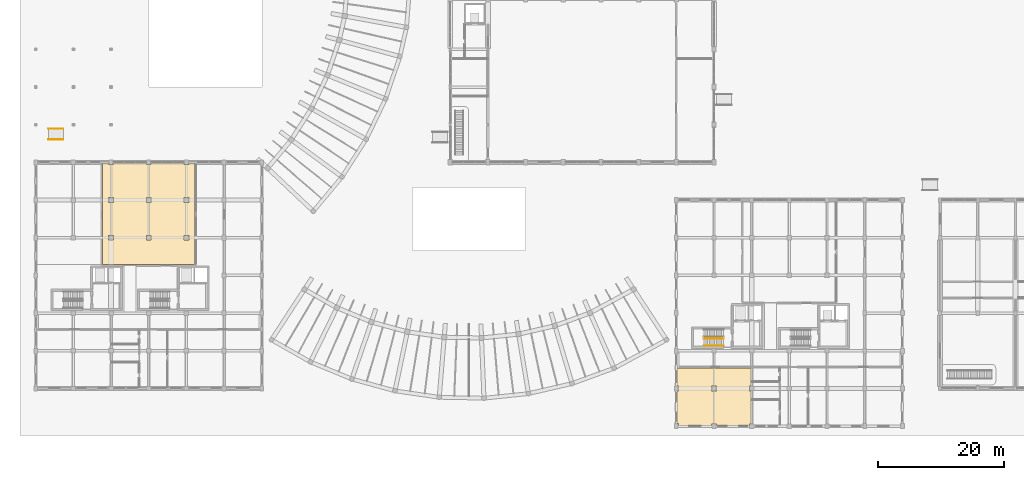
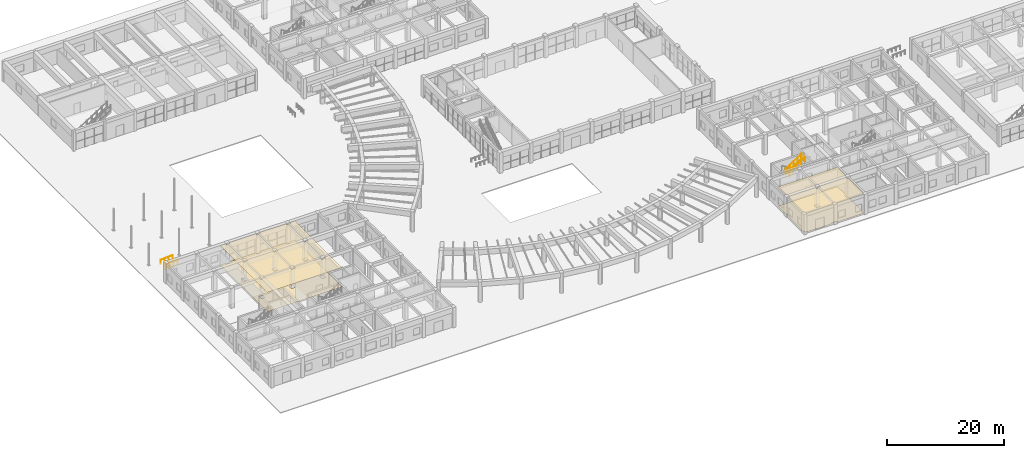
# One storey, part 68 of 76: 4 coverings, 4 railings.
"""IFC4 building model written with IfcOpenShell, lengths in metres."""

from ifc_helpers import new_model, si_unit, direction, frame, origin, origin_2d, place, context, subcontext, project, spatial, polyline, circle, outline, extrude, material, layer, layer_set, type_object, element, save


model = new_model("IFC4")

# Units and contexts
model_context = context("Model", 3, precision=1e-05, world=origin(), true_north=direction((0.0, 1.0)))
body_context = subcontext(model_context, "Body", "Model", "MODEL_VIEW")
ifc_project = project(units=[si_unit("LENGTHUNIT", "METRE"), si_unit("AREAUNIT", "SQUARE_METRE"), si_unit("VOLUMEUNIT", "CUBIC_METRE"), si_unit("PLANEANGLEUNIT", "RADIAN"), si_unit("MASSUNIT", "GRAM", prefix="KILO"), si_unit("POWERUNIT", "WATT"), si_unit("THERMODYNAMICTEMPERATUREUNIT", "KELVIN")], contexts=[model_context])

# Site, building, storey
site_placement = place(None, origin())
site = spatial("IfcSite", under=ifc_project, at=site_placement, CompositionType="ELEMENT")
building_placement = place(site_placement, origin())
building = spatial("IfcBuilding", under=site, at=building_placement, Name="Ruvembo Vaulted Housing Court", CompositionType="ELEMENT")
storey_placement = place(building_placement, origin())
storey = spatial("IfcBuildingStorey", under=building, at=storey_placement, Name="L00", CompositionType="ELEMENT", Elevation=0.0)

# Coverings
ifc_material_1 = material(Name="Perforated Mineral-Fibre Acoustic Tile", Category="gypsum")
ifc_layer_1 = layer(ifc_material_1, 0.02001953125, Name="Perforated Mineral-Fibre Acoustic Tile")
ifc_layer_set_1 = layer_set([ifc_layer_1], Name="Perforated Mineral-Fibre Acoustic Tile")
covering_type_1 = type_object("IfcCoveringType", Name="COV-CEIL-ACOUST", PredefinedType="CEILING", material=ifc_layer_set_1)
covering_1_placement = place(storey_placement, frame((0.0, 0.0, 4.034912109375)))
element("IfcCovering", 1, at=covering_1_placement, inside=storey, type_object=covering_type_1, Name="Block A Courtyard Entrance Lobby Ceiling", PredefinedType="CEILING", context=body_context, shape_type="SweptSolid", body=[
    extrude(outline(polyline([(11.6298828125, 41.6298828125), (11.6298828125, 41.889892578125), (10.610107421875, 41.889892578125), (10.610107421875, 25.7099609375), (25.389892578125, 25.7099609375), (25.389892578125, 41.889892578125), (24.3701171875, 41.889892578125), (24.3701171875, 41.6298828125), (23.6298828125, 41.6298828125), (23.6298828125, 41.889892578125), (18.3701171875, 41.889892578125), (18.3701171875, 41.6298828125), (17.6298828125, 41.6298828125), (17.6298828125, 41.889892578125), (12.3701171875, 41.889892578125), (12.3701171875, 41.6298828125), (11.6298828125, 41.6298828125)]), holes=[polyline([(24.3701171875, 29.6298828125), (24.3701171875, 30.3701171875), (23.6298828125, 30.3701171875), (23.6298828125, 29.6298828125), (24.3701171875, 29.6298828125)]), polyline([(17.6298828125, 29.6298828125), (18.3701171875, 29.6298828125), (18.3701171875, 30.3701171875), (17.6298828125, 30.3701171875), (17.6298828125, 29.6298828125)]), polyline([(12.3701171875, 29.6298828125), (12.3701171875, 30.3701171875), (11.6298828125, 30.3701171875), (11.6298828125, 29.6298828125), (12.3701171875, 29.6298828125)]), polyline([(12.3701171875, 35.6298828125), (12.3701171875, 36.3701171875), (11.6298828125, 36.3701171875), (11.6298828125, 35.6298828125), (12.3701171875, 35.6298828125)]), polyline([(17.6298828125, 35.6298828125), (18.3701171875, 35.6298828125), (18.3701171875, 36.3701171875), (17.6298828125, 36.3701171875), (17.6298828125, 35.6298828125)]), polyline([(24.3701171875, 35.6298828125), (24.3701171875, 36.3701171875), (23.6298828125, 36.3701171875), (23.6298828125, 35.6298828125), (24.3701171875, 35.6298828125)])]), origin(), (0.0, 0.0, 1.0), 0.02001953125),
])
covering_2_placement = place(storey_placement, frame((0.0, 0.0, 4.034912109375)))
element("IfcCovering", 2, at=covering_2_placement, inside=storey, type_object=covering_type_1, Name="Block C West Exit Vestibule Ceiling", PredefinedType="CEILING", context=body_context, shape_type="SweptSolid", body=[
    extrude(outline(polyline([(107.6298828125, 0.3701171875), (108.3701171875, 0.3701171875), (108.3701171875, 0.110107421875), (113.6298828125, 0.110107421875), (113.6298828125, 0.3701171875), (113.889892578125, 0.3701171875), (113.889892578125, 5.6298828125), (113.6298828125, 5.6298828125), (113.6298828125, 6.3701171875), (113.889892578125, 6.3701171875), (113.889892578125, 9.2900390625), (102.110107421875, 9.2900390625), (102.110107421875, 6.419921875), (102.320068359375, 6.419921875), (102.320068359375, 5.580078125), (102.110107421875, 5.580078125), (102.110107421875, 0.419921875), (102.320068359375, 0.419921875), (102.320068359375, 0.110107421875), (107.6298828125, 0.110107421875), (107.6298828125, 0.3701171875)]), holes=[polyline([(108.3701171875, 5.6298828125), (108.3701171875, 6.3701171875), (107.6298828125, 6.3701171875), (107.6298828125, 5.6298828125), (108.3701171875, 5.6298828125)])]), origin(), (0.0, 0.0, 1.0), 0.02001953125),
])
ifc_material_2 = material(Name="Polished Cement-Aggregate Terrazzo", Category="stone")
ifc_layer_2 = layer(ifc_material_2, 0.02197265625, Name="Polished Cement-Aggregate Terrazzo")
ifc_layer_set_2 = layer_set([ifc_layer_2], Name="Polished Cement-Aggregate Terrazzo")
covering_type_2 = type_object("IfcCoveringType", Name="COV-FLR-CERAMIC", PredefinedType="FLOORING", material=ifc_layer_set_2)
covering_3_placement = place(storey_placement, origin())
element("IfcCovering", 3, at=covering_3_placement, inside=storey, type_object=covering_type_2, Name="Block A Courtyard Entrance Lobby Flooring", PredefinedType="FLOORING", context=body_context, shape_type="SweptSolid", body=[
    extrude(outline(polyline([(11.6298828125, 41.6298828125), (11.6298828125, 41.889892578125), (10.610107421875, 41.889892578125), (10.610107421875, 25.7099609375), (25.389892578125, 25.7099609375), (25.389892578125, 41.889892578125), (24.3701171875, 41.889892578125), (24.3701171875, 41.6298828125), (23.6298828125, 41.6298828125), (23.6298828125, 41.889892578125), (18.3701171875, 41.889892578125), (18.3701171875, 41.6298828125), (17.6298828125, 41.6298828125), (17.6298828125, 41.889892578125), (12.3701171875, 41.889892578125), (12.3701171875, 41.6298828125), (11.6298828125, 41.6298828125)]), holes=[polyline([(24.3701171875, 29.6298828125), (24.3701171875, 30.3701171875), (23.6298828125, 30.3701171875), (23.6298828125, 29.6298828125), (24.3701171875, 29.6298828125)]), polyline([(17.6298828125, 29.6298828125), (18.3701171875, 29.6298828125), (18.3701171875, 30.3701171875), (17.6298828125, 30.3701171875), (17.6298828125, 29.6298828125)]), polyline([(12.3701171875, 29.6298828125), (12.3701171875, 30.3701171875), (11.6298828125, 30.3701171875), (11.6298828125, 29.6298828125), (12.3701171875, 29.6298828125)]), polyline([(12.3701171875, 35.6298828125), (12.3701171875, 36.3701171875), (11.6298828125, 36.3701171875), (11.6298828125, 35.6298828125), (12.3701171875, 35.6298828125)]), polyline([(17.6298828125, 35.6298828125), (18.3701171875, 35.6298828125), (18.3701171875, 36.3701171875), (17.6298828125, 36.3701171875), (17.6298828125, 35.6298828125)]), polyline([(24.3701171875, 35.6298828125), (24.3701171875, 36.3701171875), (23.6298828125, 36.3701171875), (23.6298828125, 35.6298828125), (24.3701171875, 35.6298828125)])]), origin(), (0.0, 0.0, 1.0), 0.02197265625),
])
covering_4_placement = place(storey_placement, origin())
element("IfcCovering", 4, at=covering_4_placement, inside=storey, type_object=covering_type_2, Name="Block C West Exit Vestibule Flooring", PredefinedType="FLOORING", context=body_context, shape_type="SweptSolid", body=[
    extrude(outline(polyline([(107.6298828125, 0.3701171875), (108.3701171875, 0.3701171875), (108.3701171875, 0.110107421875), (113.6298828125, 0.110107421875), (113.6298828125, 0.3701171875), (113.889892578125, 0.3701171875), (113.889892578125, 5.6298828125), (113.6298828125, 5.6298828125), (113.6298828125, 6.3701171875), (113.889892578125, 6.3701171875), (113.889892578125, 9.2900390625), (102.110107421875, 9.2900390625), (102.110107421875, 6.419921875), (102.320068359375, 6.419921875), (102.320068359375, 5.580078125), (102.110107421875, 5.580078125), (102.110107421875, 0.419921875), (102.320068359375, 0.419921875), (102.320068359375, 0.110107421875), (107.6298828125, 0.110107421875), (107.6298828125, 0.3701171875)]), holes=[polyline([(108.3701171875, 5.6298828125), (108.3701171875, 6.3701171875), (107.6298828125, 6.3701171875), (107.6298828125, 5.6298828125), (108.3701171875, 5.6298828125)])]), origin(), (0.0, 0.0, 1.0), 0.02197265625),
])

# Railings
ifc_material_3 = material(Name="Brushed Stainless Steel 316", Category="steel")
ifc_layer_3 = layer(ifc_material_3, 0.050048828125, Name="Brushed Stainless Steel 316")
ifc_layer_set_3 = layer_set([ifc_layer_3], Name="Brushed Stainless Steel 316")
railing_type_1 = type_object("IfcRailingType", Name="RL-RAMP-HR920", PredefinedType="HANDRAIL", material=ifc_layer_set_3)
for number, where, name in (
    (5, (2.0, 47.35009765625, -0.14990234375), "Ramp RMP-01 Handrail L"),
    (6, (2.0, 45.64990234375, -0.14990234375), "Ramp RMP-01 Handrail R"),
):
    element("IfcRailing", number, at=place(storey_placement, frame(where)), inside=storey, type_object=railing_type_1, Name=name, PredefinedType="HANDRAIL", context=body_context, shape_type="SweptSolid", body=[
        extrude(circle(Radius=0.02392578125, at=origin_2d()), frame((0.0, 0.0, 0.89599609375), z_axis=(0.998054948148, 0.0, 0.062340359935), x_axis=(0.0, 1.0, 0.0)), (0.0, 0.0, 1.0), 2.404541015625),
        extrude(circle(Radius=0.02099609375, at=origin_2d()), origin(), (0.0, 0.0, 1.0), 0.871826171875),
        extrude(circle(Radius=0.02099609375, at=origin_2d()), frame((0.800048828125, 0.0, 0.050048828125)), (0.0, 0.0, 1.0), 0.871826171875),
        extrude(circle(Radius=0.02099609375, at=origin_2d()), frame((1.599853515625, 0.0, 0.099853515625)), (0.0, 0.0, 1.0), 0.871826171875),
        extrude(circle(Radius=0.02099609375, at=origin_2d()), frame((2.39990234375, 0.0, 0.14990234375)), (0.0, 0.0, 1.0), 0.871826171875),
    ])
ifc_material_4 = material(Name="Painted Galvanised Steel S275", Category="steel")
ifc_layer_4 = layer(ifc_material_4, 0.06005859375, Name="Painted Galvanised Steel S275")
ifc_layer_set_4 = layer_set([ifc_layer_4], Name="Painted Galvanised Steel S275")
railing_type_2 = type_object("IfcRailingType", Name="RL-STAIR-GR1100", PredefinedType="GUARDRAIL", material=ifc_layer_set_4)
railing_1_placement = place(storey_placement, frame((106.419921875, 13.949951171875, 2.4375)))
element("IfcRailing", 7, at=railing_1_placement, inside=storey, type_object=railing_type_2, Name="L00 ST-C1 stair guard 3", PredefinedType="GUARDRAIL", context=body_context, shape_type="SweptSolid", body=[
    extrude(circle(Radius=0.02392578125, at=origin_2d()), frame((0.0, 0.0, 1.076171875), z_axis=(0.830913701846, 0.0, 0.55640131208), x_axis=(0.0, 1.0, 0.0)), (0.0, 0.0, 1.0), 3.706787109375),
    extrude(circle(Radius=0.01806640625, at=origin_2d()), frame((0.0, 0.0, 0.1201171875), z_axis=(0.830913701846, 0.0, 0.55640131208), x_axis=(0.0, 1.0, 0.0)), (0.0, 0.0, 1.0), 3.706787109375),
    extrude(circle(Radius=0.02099609375, at=origin_2d()), origin(), (0.0, 0.0, 1.0), 1.052001953125),
    extrude(circle(Radius=0.02099609375, at=origin_2d()), frame((0.77001953125, 0.0, 0.515625)), (0.0, 0.0, 1.0), 1.052001953125),
    extrude(circle(Radius=0.02099609375, at=origin_2d()), frame((1.5400390625, 0.0, 1.03125)), (0.0, 0.0, 1.0), 1.052001953125),
    extrude(circle(Radius=0.02099609375, at=origin_2d()), frame((2.31005859375, 0.0, 1.546875)), (0.0, 0.0, 1.0), 1.052001953125),
    extrude(circle(Radius=0.02099609375, at=origin_2d()), frame((3.080078125, 0.0, 2.0625)), (0.0, 0.0, 1.0), 1.052001953125),
])
ifc_material_5 = material(Name="Brushed Stainless Steel 304", Category="steel")
ifc_layer_5 = layer(ifc_material_5, 0.050048828125, Name="Brushed Stainless Steel 304")
ifc_layer_set_5 = layer_set([ifc_layer_5], Name="Brushed Stainless Steel 304")
railing_type_3 = type_object("IfcRailingType", Name="RL-STAIR-HR920", PredefinedType="HANDRAIL", material=ifc_layer_set_5)
railing_2_placement = place(storey_placement, frame((106.419921875, 12.800048828125, 2.629150390625)))
element("IfcRailing", 8, at=railing_2_placement, inside=storey, type_object=railing_type_3, Name="L00 ST-C1 stair handrail 2", PredefinedType="HANDRAIL", context=body_context, shape_type="SweptSolid", body=[
    extrude(circle(Radius=0.02392578125, at=origin_2d()), frame((0.0, 0.0, 0.8759765625), z_axis=(0.830913701846, 0.0, 0.55640131208), x_axis=(0.0, 1.0, 0.0)), (0.0, 0.0, 1.0), 3.706787109375),
    extrude(circle(Radius=0.02099609375, at=origin_2d()), origin(), (0.0, 0.0, 1.0), 0.851806640625),
    extrude(circle(Radius=0.02099609375, at=origin_2d()), frame((0.77001953125, 0.0, 0.515625)), (0.0, 0.0, 1.0), 0.851806640625),
    extrude(circle(Radius=0.02099609375, at=origin_2d()), frame((1.5400390625, 0.0, 1.03125)), (0.0, 0.0, 1.0), 0.851806640625),
    extrude(circle(Radius=0.02099609375, at=origin_2d()), frame((2.31005859375, 0.0, 1.546875)), (0.0, 0.0, 1.0), 0.851806640625),
    extrude(circle(Radius=0.02099609375, at=origin_2d()), frame((3.080078125, 0.0, 2.0625)), (0.0, 0.0, 1.0), 0.851806640625),
])

save(model, "model.ifc")
